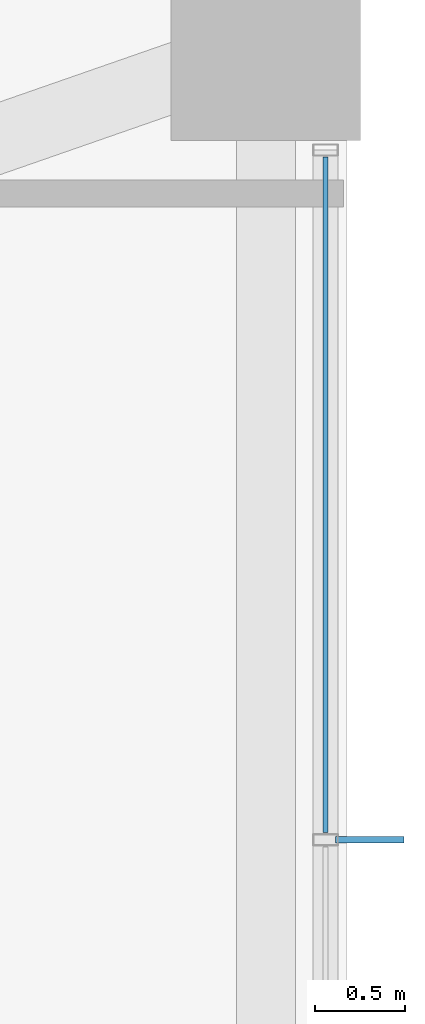
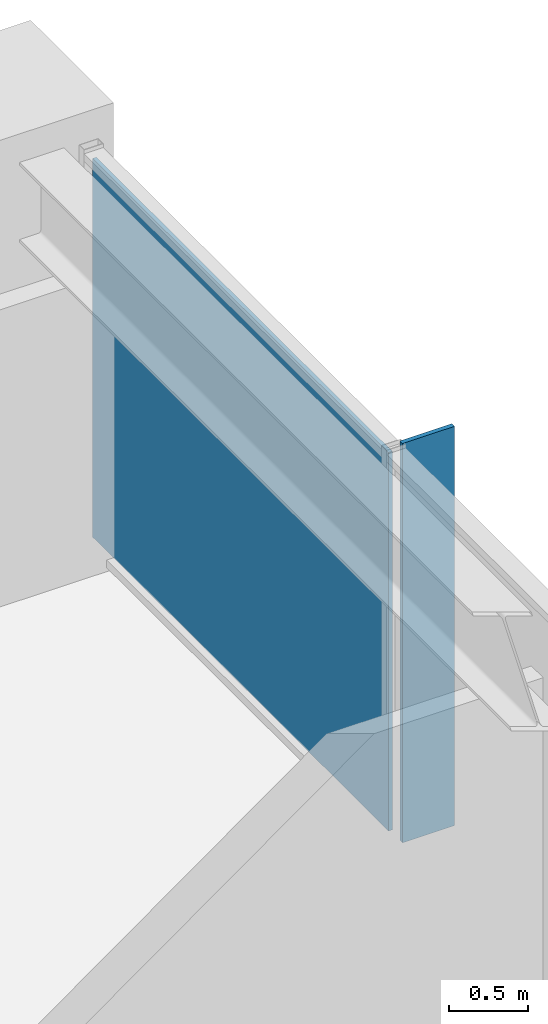
# One storey, part 31 of 38: 2 plates, 1 element without a shape of its own.
"""IFC4 building model written with IfcOpenShell, lengths in metres."""

from ifc_helpers import new_model, si_unit, direction, frame, origin, origin_2d, place, context, subcontext, project, spatial, rectangle, extrude, material, layer, layer_set, type_object, element, aggregate, save


model = new_model("IFC4")

# Units and contexts
model_context = context("Model", 3, precision=1e-05, world=origin(), true_north=direction((0.0, 1.0)))
body_context = subcontext(model_context, "Body", "Model", "MODEL_VIEW")
ifc_project = project(units=[si_unit("LENGTHUNIT", "METRE"), si_unit("AREAUNIT", "SQUARE_METRE"), si_unit("VOLUMEUNIT", "CUBIC_METRE"), si_unit("PLANEANGLEUNIT", "RADIAN"), si_unit("MASSUNIT", "GRAM", prefix="KILO")], contexts=[model_context])

# Site, building, storey
site_placement = place(None, origin())
site = spatial("IfcSite", under=ifc_project, at=site_placement, CompositionType="ELEMENT")
building_placement = place(site_placement, origin())
building = spatial("IfcBuilding", under=site, at=building_placement, Name="Kolvaren Belvedere", CompositionType="ELEMENT")
storey_placement = place(building_placement, frame((0.0, 0.0, 98.60009765625)))
storey = spatial("IfcBuildingStorey", under=building, at=storey_placement, Name="L28", CompositionType="ELEMENT", Elevation=98.60009765625)

# Curtain wall, plate
ifc_material_1 = material(Name="Anodised pale-metal aluminium AA 6063-T6", Category="aluminium")
curtain_wall_type = type_object("IfcCurtainWallType", Name="CW-Z2-MID", PredefinedType="NOTDEFINED", material=ifc_material_1)
curtain_wall_placement = place(storey_placement, origin())
curtain_wall = element("IfcCurtainWall", 1, at=curtain_wall_placement, inside=storey, type_object=curtain_wall_type, Name="L28 Unitised Curtain Wall FCW-L28-E-B1", PredefinedType="NOTDEFINED")
ifc_material_2 = material(Name="Low-iron triple insulated glass", Category="glass")
ifc_layer_1 = layer(ifc_material_2, 0.028076171875)
ifc_layer_set_1 = layer_set([ifc_layer_1], Name="Low-iron triple insulated glass")
plate_type_1 = type_object("IfcPlateType", Name="CW-PNL-VIS28", PredefinedType="CURTAIN_PANEL", material=ifc_layer_set_1)
plate_1_placement = place(storey_placement, frame((20.280029296875, 10.9111328125, 0.079833984375), z_axis=(0.0, 0.0, 1.0), x_axis=(0.0, -1.0, 0.0)))
plate_1 = element("IfcPlate", 2, at=plate_1_placement, type_object=plate_type_1, Name="FCW-L28-E-B1 Vision Glazing Panel 1", PredefinedType="CURTAIN_PANEL", context=body_context, shape_type="SweptSolid", body=[
    extrude(rectangle(XDim=3.742431640625, YDim=0.028076171875, at=origin_2d()), origin(), (0.0, 0.0, 1.0), 2.919921875),
])
aggregate(curtain_wall, [plate_1])

# Plate
ifc_material_3 = material(Name="Anodised pale-metal aluminium AA 6063-T6", Category="aluminium")
ifc_layer_2 = layer(ifc_material_3, 0.033935546875)
ifc_layer_set_2 = layer_set([ifc_layer_2], Name="Anodised pale-metal aluminium AA 6063-T6")
plate_type_2 = type_object("IfcPlateType", Name="FIN-VERT-380", PredefinedType="USERDEFINED", material=ifc_layer_set_2)
plate_2_placement = place(storey_placement, frame((20.52490234375, 9.0, -0.000244140625), z_axis=(0.0, 0.0, 1.0), x_axis=(1.0, 0.0, 0.0)))
element("IfcPlate", 3, at=plate_2_placement, inside=storey, type_object=plate_type_2, Name="L28 Pale-Metal Vertical Shading Fin FCW-L28-E-B1-1", ObjectType="VERTICAL FIN", PredefinedType="USERDEFINED", context=body_context, shape_type="SweptSolid", body=[
    extrude(rectangle(XDim=0.3798828125, YDim=0.033935546875, at=origin_2d()), origin(), (0.0, 0.0, 1.0), 3.080078125),
])

save(model, "model.ifc")
